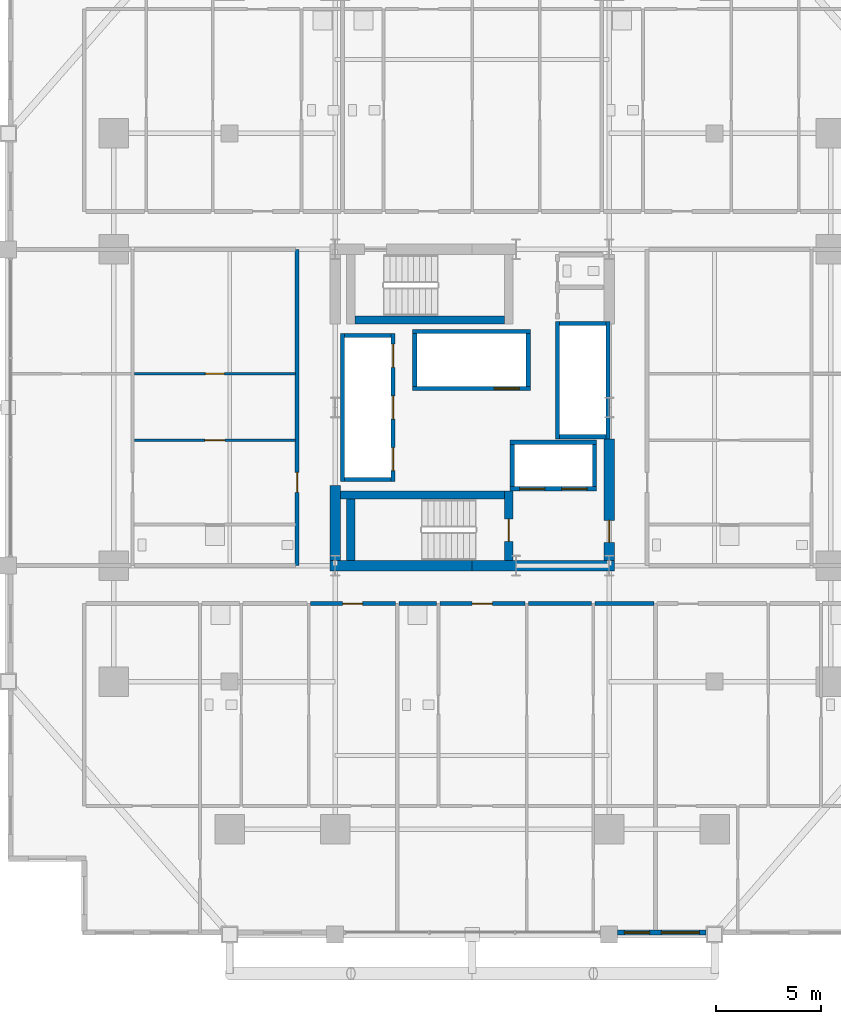
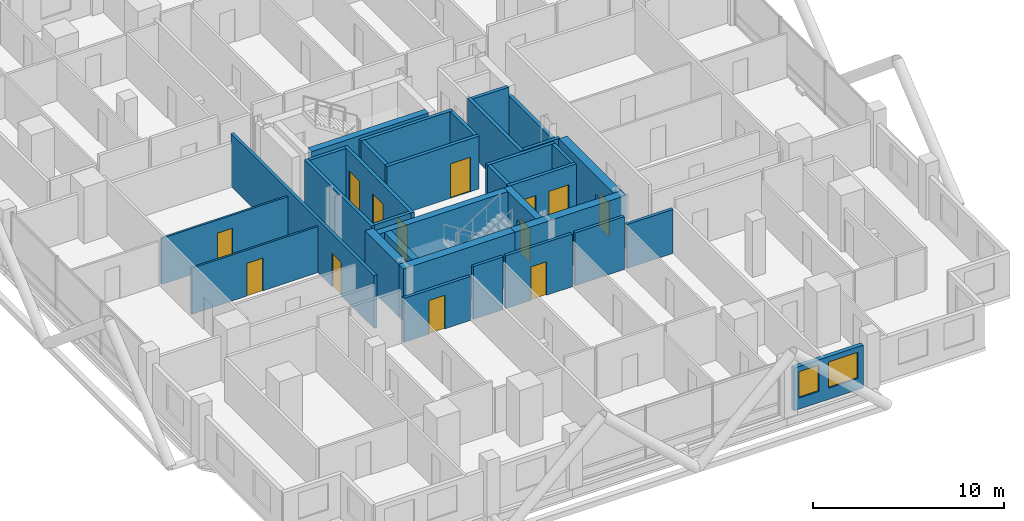
# One storey, part 22 of 28: 33 walls, 13 doors, 2 windows, 15 openings.
"""IFC4 building model written with IfcOpenShell, lengths in metres."""

from ifc_helpers import new_model, si_unit, direction, frame, frame_2d, origin, place, context, subcontext, project, spatial, rectangle, extrude, material, layer, layer_set, type_object, element, fill, save


model = new_model("IFC4")

# Units and contexts
model_context = context("Model", 3, precision=1e-05, world=origin(), true_north=direction((0.0, 1.0)))
body_context = subcontext(model_context, "Body", "Model", "MODEL_VIEW")
ifc_project = project(units=[si_unit("LENGTHUNIT", "METRE"), si_unit("AREAUNIT", "SQUARE_METRE"), si_unit("VOLUMEUNIT", "CUBIC_METRE"), si_unit("PLANEANGLEUNIT", "RADIAN"), si_unit("MASSUNIT", "GRAM", prefix="KILO")], contexts=[model_context])

# Site, building, storey
site_placement = place(None, origin())
site = spatial("IfcSite", under=ifc_project, at=site_placement, CompositionType="ELEMENT")
building_placement = place(site_placement, origin())
building = spatial("IfcBuilding", under=site, at=building_placement, Name="Barlavira Tower and Art Museum", CompositionType="ELEMENT")
storey_placement = place(building_placement, frame((0.0, 0.0, 39.60009765625)))
storey = spatial("IfcBuildingStorey", under=building, at=storey_placement, Name="L08", CompositionType="ELEMENT", Elevation=39.60009765625)

# Wall, opening, door
ifc_material_1 = material(Name="Gypsum acoustic stud partition", Category="gypsum")
ifc_layer_1 = layer(ifc_material_1, 0.1201171875, Name="Gypsum acoustic stud partition")
ifc_layer_set_1 = layer_set([ifc_layer_1], Name="Gypsum acoustic stud partition")
wall_type_1 = type_object("IfcWallType", Name="Apartment Internal Acoustic Partition 120", PredefinedType="PARTITIONING", material=ifc_layer_set_1)
wall_1_placement = place(storey_placement, frame((-16.02001953125, -1.550048828125, 0.0), z_axis=(0.0, 0.0, 1.0), x_axis=(1.0, 0.0, 0.0)))
wall_1 = element("IfcWall", 1, at=wall_1_placement, inside=storey, type_object=wall_type_1, Name="L08 Partition Wall 61", PredefinedType="PARTITIONING", context=body_context, shape_type="SweptSolid", body=[
    extrude(rectangle(XDim=7.64013671875, YDim=0.1201171875, at=frame_2d((3.820068359375, 0.0))), origin(), (0.0, 0.0, 1.0), 2.947998046875),
])
opening_1_placement = place(wall_1_placement, frame((3.344970703125, 0.0, 0.0)))
opening_1 = element("IfcOpeningElement", 2, at=opening_1_placement, cuts=wall_1, Name="Opening D-02", PredefinedType="OPENING", context=body_context, shape_type="SweptSolid", body=[
    extrude(rectangle(XDim=0.949951171875, YDim=2.10009765625, at=frame_2d((0.47509765625, 1.050048828125))), frame((0.0, 0.070068359375, 0.0), z_axis=(0.0, -1.0, 0.0), x_axis=(1.0, 0.0, 0.0)), (0.0, 0.0, 1.0), 0.14013671875),
])
ifc_material_2 = material(Name="Engineered coastal hardwood", Category="wood")
door_type_1 = type_object("IfcDoorType", Name="Living and Salon Glazed-Leaf Door 950x2100", OperationType="NOTDEFINED", PredefinedType="DOOR", material=ifc_material_2)
door_1_placement = place(opening_1_placement, origin())
door_1 = element("IfcDoor", 3, at=door_1_placement, inside=storey, type_object=door_type_1, Name="Apartment W1 Kitchen Door", OperationType="SINGLE_SWING_LEFT", OverallHeight=2.10009765625, OverallWidth=0.949951171875, PredefinedType="DOOR", context=body_context, shape_type="SweptSolid", body=[
    extrude(rectangle(XDim=0.949951171875, YDim=2.10009765625, at=frame_2d((0.47509765625, 1.050048828125))), frame((0.0, 0.02490234375, 0.0), z_axis=(0.0, -1.0, 0.0), x_axis=(1.0, 0.0, 0.0)), (0.0, 0.0, 1.0), 0.050048828125),
])
fill(opening_1, door_1)

wall_2_placement = place(storey_placement, frame((-16.02001953125, 1.60009765625, 0.0), z_axis=(0.0, 0.0, 1.0), x_axis=(1.0, 0.0, 0.0)))
wall_2 = element("IfcWall", 4, at=wall_2_placement, inside=storey, type_object=wall_type_1, Name="L08 Partition Wall 64", PredefinedType="PARTITIONING", context=body_context, shape_type="SweptSolid", body=[
    extrude(rectangle(XDim=7.64013671875, YDim=0.1201171875, at=frame_2d((3.820068359375, 0.0))), origin(), (0.0, 0.0, 1.0), 2.947998046875),
])
opening_2_placement = place(wall_2_placement, frame((3.3701171875, 0.0, 0.0)))
opening_2 = element("IfcOpeningElement", 5, at=opening_2_placement, cuts=wall_2, Name="Opening D-01", PredefinedType="OPENING", context=body_context, shape_type="SweptSolid", body=[
    extrude(rectangle(XDim=0.89990234375, YDim=2.10009765625, at=frame_2d((0.449951171875, 1.050048828125))), frame((0.0, 0.070068359375, 0.0), z_axis=(0.0, -1.0, 0.0), x_axis=(1.0, 0.0, 0.0)), (0.0, 0.0, 1.0), 0.14013671875),
])
door_type_2 = type_object("IfcDoorType", Name="Internal Bedroom Timber Flush Door 900x2100", OperationType="NOTDEFINED", PredefinedType="DOOR", material=ifc_material_2)
door_2_placement = place(opening_2_placement, origin())
door_2 = element("IfcDoor", 6, at=door_2_placement, inside=storey, type_object=door_type_2, Name="Apartment W1 Walk-In Dressing Room Door", OperationType="SINGLE_SWING_RIGHT", OverallHeight=2.10009765625, OverallWidth=0.89990234375, PredefinedType="DOOR", context=body_context, shape_type="SweptSolid", body=[
    extrude(rectangle(XDim=0.89990234375, YDim=2.10009765625, at=frame_2d((0.449951171875, 1.050048828125))), frame((0.0, 0.02490234375, 0.0), z_axis=(0.0, -1.0, 0.0), x_axis=(1.0, 0.0, 0.0)), (0.0, 0.0, 1.0), 0.050048828125),
])
fill(opening_2, door_2)

# Walls
ifc_material_3 = material(Name="Concrete C60", Category="concrete")
ifc_layer_2 = layer(ifc_material_3, 0.5, Name="Concrete C60")
ifc_layer_set_2 = layer_set([ifc_layer_2], Name="Concrete C60")
wall_type_2 = type_object("IfcWallType", Name="Core Structural Shear Wall 500 Concrete C60", PredefinedType="SHEAR", material=ifc_layer_set_2)
for number, where, z_axis, x_axis, name in (
    (7, (-6.75, -7.5, 0.0), (0.0, 0.0, 1.0), (1.0, 0.0, 0.0), "L08 Core Shear Wall CS-SW"),
    (8, (0.0, -7.5, 0.0), (0.0, 0.0, 1.0), (1.0, 0.0, 0.0), "L08 Core Shear Wall CS-SE"),
):
    element("IfcWall", number, at=place(storey_placement, frame(where, z_axis=z_axis, x_axis=x_axis)), inside=storey, type_object=wall_type_2, Name=name, PredefinedType="SHEAR", context=body_context, shape_type="SweptSolid", body=[
        extrude(rectangle(XDim=6.75, YDim=0.5, at=frame_2d((3.375, 0.0))), origin(), (0.0, 0.0, 1.0), 3.3798828125),
    ])
wall_3_placement = place(storey_placement, frame((-6.5, -7.25, 0.0), z_axis=(0.0, 0.0, 1.0), x_axis=(0.0, 1.0, 0.0)))
element("IfcWall", 9, at=wall_3_placement, inside=storey, type_object=wall_type_2, Name="L08 Core Shear Wall CS-W1", PredefinedType="SHEAR", context=body_context, shape_type="SweptSolid", body=[
    extrude(rectangle(XDim=3.550048828125, YDim=0.5, at=frame_2d((1.77490234375, 0.0))), origin(), (0.0, 0.0, 1.0), 3.3798828125),
])

# Wall, opening, door
wall_4_placement = place(storey_placement, frame((6.5, -7.25, 0.0), z_axis=(0.0, 0.0, 1.0), x_axis=(0.0, 1.0, 0.0)))
wall_4 = element("IfcWall", 10, at=wall_4_placement, inside=storey, type_object=wall_type_2, Name="L08 Core Shear Wall CS-E1", PredefinedType="SHEAR", context=body_context, shape_type="SweptSolid", body=[
    extrude(rectangle(XDim=5.75, YDim=0.5, at=frame_2d((2.875, 0.0))), origin(), (0.0, 0.0, 1.0), 3.3798828125),
])
opening_3_placement = place(wall_4_placement, frame((0.85009765625, 0.0, 0.0)))
opening_3 = element("IfcOpeningElement", 11, at=opening_3_placement, cuts=wall_4, Name="Opening FD-90", PredefinedType="OPENING", context=body_context, shape_type="SweptSolid", body=[
    extrude(rectangle(XDim=1.050048828125, YDim=2.14990234375, at=frame_2d((0.52490234375, 1.074951171875))), frame((0.0, 0.260009765625, 0.0), z_axis=(0.0, -1.0, 0.0), x_axis=(1.0, 0.0, 0.0)), (0.0, 0.0, 1.0), 0.52001953125),
])
ifc_material_4 = material(Name="Brushed stainless steel", Category="steel")
door_type_3 = type_object("IfcDoorType", Name="Stair and Refuge Fire Door 1050x2150 FD90S", OperationType="NOTDEFINED", PredefinedType="DOOR", material=ifc_material_4)
door_3_placement = place(opening_3_placement, origin())
door_3 = element("IfcDoor", 12, at=door_3_placement, inside=storey, type_object=door_type_3, Name="L08 Firefighting Lobby Entry Fire Door", OperationType="SINGLE_SWING_LEFT", OverallHeight=2.14990234375, OverallWidth=1.050048828125, PredefinedType="DOOR", context=body_context, shape_type="SweptSolid", body=[
    extrude(rectangle(XDim=1.050048828125, YDim=2.14990234375, at=frame_2d((0.52490234375, 1.074951171875))), frame((0.0, 0.02490234375, 0.0), z_axis=(0.0, -1.0, 0.0), x_axis=(1.0, 0.0, 0.0)), (0.0, 0.0, 1.0), 0.050048828125),
])
fill(opening_3, door_3)

# Wall, openings, doors
ifc_material_5 = material(Name="Autoclaved aerated concrete masonry", Category="masonry")
ifc_layer_3 = layer(ifc_material_5, 0.199951171875, Name="Autoclaved aerated concrete masonry")
ifc_layer_set_3 = layer_set([ifc_layer_3], Name="Autoclaved aerated concrete masonry")
wall_type_3 = type_object("IfcWallType", Name="Fire Compartment and Shaft Wall 200", PredefinedType="SOLIDWALL", material=ifc_layer_set_3)
wall_5_placement = place(storey_placement, frame((-3.75, -3.510009765625, 0.0), z_axis=(0.0, 0.0, 1.0), x_axis=(0.0, 1.0, 0.0)))
wall_5 = element("IfcWall", 13, at=wall_5_placement, inside=storey, type_object=wall_type_3, Name="L08 Low-Rise Lift Front Shaft Wall", PredefinedType="SOLIDWALL", context=body_context, shape_type="SweptSolid", body=[
    extrude(rectangle(XDim=7.02001953125, YDim=0.199951171875, at=frame_2d((3.510009765625, 0.0))), origin(), (0.0, 0.0, 1.0), 3.3798828125),
])
opening_4_placement = place(wall_5_placement, frame((0.510009765625, 0.0, 0.0)))
opening_4 = element("IfcOpeningElement", 14, at=opening_4_placement, cuts=wall_5, Name="Opening LD-P", PredefinedType="OPENING", context=body_context, shape_type="SweptSolid", body=[
    extrude(rectangle(XDim=1.10009765625, YDim=2.14990234375, at=frame_2d((0.550048828125, 1.074951171875))), frame((0.0, 0.10986328125, 0.0), z_axis=(0.0, -1.0, 0.0), x_axis=(1.0, 0.0, 0.0)), (0.0, 0.0, 1.0), 0.219970703125),
])
opening_5_placement = place(wall_5_placement, frame((2.9599609375, 0.0, 0.0)))
opening_5 = element("IfcOpeningElement", 15, at=opening_5_placement, cuts=wall_5, Name="Opening LD-P", PredefinedType="OPENING", context=body_context, shape_type="SweptSolid", body=[
    extrude(rectangle(XDim=1.10009765625, YDim=2.14990234375, at=frame_2d((0.550048828125, 1.074951171875))), frame((0.0, 0.10986328125, 0.0), z_axis=(0.0, -1.0, 0.0), x_axis=(1.0, 0.0, 0.0)), (0.0, 0.0, 1.0), 0.219970703125),
])
opening_6_placement = place(wall_5_placement, frame((5.409912109375, 0.0, 0.0)))
opening_6 = element("IfcOpeningElement", 16, at=opening_6_placement, cuts=wall_5, Name="Opening LD-P", PredefinedType="OPENING", context=body_context, shape_type="SweptSolid", body=[
    extrude(rectangle(XDim=1.10009765625, YDim=2.14990234375, at=frame_2d((0.550048828125, 1.074951171875))), frame((0.0, 0.10986328125, 0.0), z_axis=(0.0, -1.0, 0.0), x_axis=(1.0, 0.0, 0.0)), (0.0, 0.0, 1.0), 0.219970703125),
])
door_type_4 = type_object("IfcDoorType", Name="Passenger Lift Sliding Landing Door 1100x2150 FD60", OperationType="NOTDEFINED", PredefinedType="DOOR", material=ifc_material_4)
door_4_placement = place(opening_4_placement, origin())
door_4 = element("IfcDoor", 17, at=door_4_placement, inside=storey, type_object=door_type_4, Name="L08 Lift PL1 Sliding Landing Door", OperationType="DOUBLE_DOOR_SLIDING", OverallHeight=2.14990234375, OverallWidth=1.10009765625, PredefinedType="DOOR", context=body_context, shape_type="SweptSolid", body=[
    extrude(rectangle(XDim=1.10009765625, YDim=2.14990234375, at=frame_2d((0.550048828125, 1.074951171875))), frame((0.0, 0.02490234375, 0.0), z_axis=(0.0, -1.0, 0.0), x_axis=(1.0, 0.0, 0.0)), (0.0, 0.0, 1.0), 0.050048828125),
])
fill(opening_4, door_4)
door_5_placement = place(opening_5_placement, origin())
door_5 = element("IfcDoor", 18, at=door_5_placement, inside=storey, type_object=door_type_4, Name="L08 Lift PL2 Sliding Landing Door", OperationType="DOUBLE_DOOR_SLIDING", OverallHeight=2.14990234375, OverallWidth=1.10009765625, PredefinedType="DOOR", context=body_context, shape_type="SweptSolid", body=[
    extrude(rectangle(XDim=1.10009765625, YDim=2.14990234375, at=frame_2d((0.550048828125, 1.074951171875))), frame((0.0, 0.02490234375, 0.0), z_axis=(0.0, -1.0, 0.0), x_axis=(1.0, 0.0, 0.0)), (0.0, 0.0, 1.0), 0.050048828125),
])
fill(opening_5, door_5)
door_6_placement = place(opening_6_placement, origin())
door_6 = element("IfcDoor", 19, at=door_6_placement, inside=storey, type_object=door_type_4, Name="L08 Lift PL3 Sliding Landing Door", OperationType="DOUBLE_DOOR_SLIDING", OverallHeight=2.14990234375, OverallWidth=1.10009765625, PredefinedType="DOOR", context=body_context, shape_type="SweptSolid", body=[
    extrude(rectangle(XDim=1.10009765625, YDim=2.14990234375, at=frame_2d((0.550048828125, 1.074951171875))), frame((0.0, 0.02490234375, 0.0), z_axis=(0.0, -1.0, 0.0), x_axis=(1.0, 0.0, 0.0)), (0.0, 0.0, 1.0), 0.050048828125),
])
fill(opening_6, door_6)

# Walls
wall_6_placement = place(storey_placement, frame((-6.14990234375, -3.510009765625, 0.0), z_axis=(0.0, 0.0, 1.0), x_axis=(0.0, 1.0, 0.0)))
element("IfcWall", 20, at=wall_6_placement, inside=storey, type_object=wall_type_3, Name="L08 Low-Rise Lift Back Shaft Wall", PredefinedType="SOLIDWALL", context=body_context, shape_type="SweptSolid", body=[
    extrude(rectangle(XDim=7.02001953125, YDim=0.199951171875, at=frame_2d((3.510009765625, 0.0))), origin(), (0.0, 0.0, 1.0), 3.3798828125),
])
for number, where, z_axis, x_axis, name in (
    (21, (-6.050048828125, -3.409912109375, 0.0), (0.0, 0.0, 1.0), (1.0, 0.0, 0.0), "L08 Low-Rise Lift South Shaft Wall"),
    (22, (-6.050048828125, 3.409912109375, 0.0), (0.0, 0.0, 1.0), (1.0, 0.0, 0.0), "L08 Low-Rise Lift North Shaft Wall"),
):
    element("IfcWall", number, at=place(storey_placement, frame(where, z_axis=z_axis, x_axis=x_axis)), inside=storey, type_object=wall_type_3, Name=name, PredefinedType="SOLIDWALL", context=body_context, shape_type="SweptSolid", body=[
        extrude(rectangle(XDim=2.199951171875, YDim=0.199951171875, at=frame_2d((1.10009765625, 0.0))), origin(), (0.0, 0.0, 1.0), 3.3798828125),
    ])
wall_7_placement = place(storey_placement, frame((4.050048828125, -1.489990234375, 0.0), z_axis=(0.0, 0.0, 1.0), x_axis=(0.0, 1.0, 0.0)))
element("IfcWall", 23, at=wall_7_placement, inside=storey, type_object=wall_type_3, Name="L08 Mid-Rise Lift Front Shaft Wall", PredefinedType="SOLIDWALL", context=body_context, shape_type="SweptSolid", body=[
    extrude(rectangle(XDim=5.580078125, YDim=0.199951171875, at=frame_2d((2.7900390625, 0.0))), origin(), (0.0, 0.0, 1.0), 3.3798828125),
])
wall_8_placement = place(storey_placement, frame((6.449951171875, -1.489990234375, 0.0), z_axis=(0.0, 0.0, 1.0), x_axis=(0.0, 1.0, 0.0)))
element("IfcWall", 24, at=wall_8_placement, inside=storey, type_object=wall_type_3, Name="L08 Mid-Rise Lift Back Shaft Wall", PredefinedType="SOLIDWALL", context=body_context, shape_type="SweptSolid", body=[
    extrude(rectangle(XDim=5.580078125, YDim=0.199951171875, at=frame_2d((2.7900390625, 0.0))), origin(), (0.0, 0.0, 1.0), 2.81591796875),
])
for number, where, z_axis, x_axis, name in (
    (25, (4.14990234375, -1.389892578125, 0.0), (0.0, 0.0, 1.0), (1.0, 0.0, 0.0), "L08 Mid-Rise Lift South Shaft Wall"),
    (26, (4.14990234375, 3.989990234375, 0.0), (0.0, 0.0, 1.0), (1.0, 0.0, 0.0), "L08 Mid-Rise Lift North Shaft Wall"),
):
    element("IfcWall", number, at=place(storey_placement, frame(where, z_axis=z_axis, x_axis=x_axis)), inside=storey, type_object=wall_type_3, Name=name, PredefinedType="SOLIDWALL", context=body_context, shape_type="SweptSolid", body=[
        extrude(rectangle(XDim=2.2001953125, YDim=0.199951171875, at=frame_2d((1.10009765625, 0.0))), origin(), (0.0, 0.0, 1.0), 3.3798828125),
    ])

# Wall, opening, door
wall_9_placement = place(storey_placement, frame((-2.820068359375, 0.89990234375, 0.0), z_axis=(0.0, 0.0, 1.0), x_axis=(1.0, 0.0, 0.0)))
wall_9 = element("IfcWall", 27, at=wall_9_placement, inside=storey, type_object=wall_type_3, Name="L08 High-Rise & Service Lift Front Wall", PredefinedType="SOLIDWALL", context=body_context, shape_type="SweptSolid", body=[
    extrude(rectangle(XDim=5.580078125, YDim=0.199951171875, at=frame_2d((2.7900390625, 0.0))), origin(), (0.0, 0.0, 1.0), 3.3798828125),
])
opening_7_placement = place(wall_9_placement, frame((3.860107421875, 0.0, 0.0)))
opening_7 = element("IfcOpeningElement", 28, at=opening_7_placement, cuts=wall_9, Name="Opening LD-F", PredefinedType="OPENING", context=body_context, shape_type="SweptSolid", body=[
    extrude(rectangle(XDim=1.199951171875, YDim=2.199951171875, at=frame_2d((0.60009765625, 1.10009765625))), frame((0.0, 0.10986328125, 0.0), z_axis=(0.0, -1.0, 0.0), x_axis=(1.0, 0.0, 0.0)), (0.0, 0.0, 1.0), 0.219970703125),
])
door_type_5 = type_object("IfcDoorType", Name="Firefighting and Service Lift Sliding Door 1200x2200 FD120", OperationType="NOTDEFINED", PredefinedType="DOOR", material=ifc_material_4)
door_7_placement = place(opening_7_placement, origin())
door_7 = element("IfcDoor", 29, at=door_7_placement, inside=storey, type_object=door_type_5, Name="L08 Stretcher Service Lift SL1 Sliding Door", OperationType="DOUBLE_DOOR_SLIDING", OverallHeight=2.199951171875, OverallWidth=1.199951171875, PredefinedType="DOOR", context=body_context, shape_type="SweptSolid", body=[
    extrude(rectangle(XDim=1.199951171875, YDim=2.199951171875, at=frame_2d((0.60009765625, 1.10009765625))), frame((0.0, 0.02490234375, 0.0), z_axis=(0.0, -1.0, 0.0), x_axis=(1.0, 0.0, 0.0)), (0.0, 0.0, 1.0), 0.050048828125),
])
fill(opening_7, door_7)

# Walls
wall_10_placement = place(storey_placement, frame((-2.820068359375, 3.60009765625, 0.0), z_axis=(0.0, 0.0, 1.0), x_axis=(1.0, 0.0, 0.0)))
element("IfcWall", 30, at=wall_10_placement, inside=storey, type_object=wall_type_3, Name="L08 High-Rise & Service Lift Back Wall", PredefinedType="SOLIDWALL", context=body_context, shape_type="SweptSolid", body=[
    extrude(rectangle(XDim=5.580078125, YDim=0.199951171875, at=frame_2d((2.7900390625, 0.0))), origin(), (0.0, 0.0, 1.0), 3.3798828125),
])
for number, where, z_axis, x_axis, name in (
    (31, (-2.719970703125, 1.0, 0.0), (0.0, 0.0, 1.0), (0.0, 1.0, 0.0), "L08 High-Rise & Service Lift West Wall"),
    (32, (2.659912109375, 1.0, 0.0), (0.0, 0.0, 1.0), (0.0, 1.0, 0.0), "L08 High-Rise & Service Lift East Wall"),
):
    element("IfcWall", number, at=place(storey_placement, frame(where, z_axis=z_axis, x_axis=x_axis)), inside=storey, type_object=wall_type_3, Name=name, PredefinedType="SOLIDWALL", context=body_context, shape_type="SweptSolid", body=[
        extrude(rectangle(XDim=2.5, YDim=0.199951171875, at=frame_2d((1.25, 0.0))), origin(), (0.0, 0.0, 1.0), 3.3798828125),
    ])

# Wall, openings, doors
wall_11_placement = place(storey_placement, frame((1.800048828125, -3.85009765625, 0.0), z_axis=(0.0, 0.0, 1.0), x_axis=(1.0, 0.0, 0.0)))
wall_11 = element("IfcWall", 33, at=wall_11_placement, inside=storey, type_object=wall_type_3, Name="L08 Firefighting Lift Front Shaft Wall", PredefinedType="SOLIDWALL", context=body_context, shape_type="SweptSolid", body=[
    extrude(rectangle(XDim=4.099853515625, YDim=0.199951171875, at=frame_2d((2.0498046875, 0.0))), origin(), (0.0, 0.0, 1.0), 3.3798828125),
])
opening_8_placement = place(wall_11_placement, frame((0.449951171875, 0.0, 0.0)))
opening_8 = element("IfcOpeningElement", 34, at=opening_8_placement, cuts=wall_11, Name="Opening LD-F", PredefinedType="OPENING", context=body_context, shape_type="SweptSolid", body=[
    extrude(rectangle(XDim=1.199951171875, YDim=2.199951171875, at=frame_2d((0.60009765625, 1.10009765625))), frame((0.0, 0.10986328125, 0.0), z_axis=(0.0, -1.0, 0.0), x_axis=(1.0, 0.0, 0.0)), (0.0, 0.0, 1.0), 0.219970703125),
])
opening_9_placement = place(wall_11_placement, frame((2.449951171875, 0.0, 0.0)))
opening_9 = element("IfcOpeningElement", 35, at=opening_9_placement, cuts=wall_11, Name="Opening LD-F", PredefinedType="OPENING", context=body_context, shape_type="SweptSolid", body=[
    extrude(rectangle(XDim=1.199951171875, YDim=2.199951171875, at=frame_2d((0.60009765625, 1.10009765625))), frame((0.0, 0.10986328125, 0.0), z_axis=(0.0, -1.0, 0.0), x_axis=(1.0, 0.0, 0.0)), (0.0, 0.0, 1.0), 0.219970703125),
])
door_8_placement = place(opening_8_placement, origin())
door_8 = element("IfcDoor", 36, at=door_8_placement, inside=storey, type_object=door_type_5, Name="L08 Firefighting Lift FF1 Sliding Door", OperationType="DOUBLE_DOOR_SLIDING", OverallHeight=2.199951171875, OverallWidth=1.199951171875, PredefinedType="DOOR", context=body_context, shape_type="SweptSolid", body=[
    extrude(rectangle(XDim=1.199951171875, YDim=2.199951171875, at=frame_2d((0.60009765625, 1.10009765625))), frame((0.0, 0.02490234375, 0.0), z_axis=(0.0, -1.0, 0.0), x_axis=(1.0, 0.0, 0.0)), (0.0, 0.0, 1.0), 0.050048828125),
])
fill(opening_8, door_8)
door_9_placement = place(opening_9_placement, origin())
door_9 = element("IfcDoor", 37, at=door_9_placement, inside=storey, type_object=door_type_5, Name="L08 Firefighting Lift FF2 Sliding Door", OperationType="DOUBLE_DOOR_SLIDING", OverallHeight=2.199951171875, OverallWidth=1.199951171875, PredefinedType="DOOR", context=body_context, shape_type="SweptSolid", body=[
    extrude(rectangle(XDim=1.199951171875, YDim=2.199951171875, at=frame_2d((0.60009765625, 1.10009765625))), frame((0.0, 0.02490234375, 0.0), z_axis=(0.0, -1.0, 0.0), x_axis=(1.0, 0.0, 0.0)), (0.0, 0.0, 1.0), 0.050048828125),
])
fill(opening_9, door_9)

# Walls
wall_12_placement = place(storey_placement, frame((1.800048828125, -1.64990234375, 0.0), z_axis=(0.0, 0.0, 1.0), x_axis=(1.0, 0.0, 0.0)))
element("IfcWall", 38, at=wall_12_placement, inside=storey, type_object=wall_type_3, Name="L08 Firefighting Lift Back Shaft Wall", PredefinedType="SOLIDWALL", context=body_context, shape_type="SweptSolid", body=[
    extrude(rectangle(XDim=4.099853515625, YDim=0.199951171875, at=frame_2d((2.0498046875, 0.0))), origin(), (0.0, 0.0, 1.0), 3.3798828125),
])
for number, where, z_axis, x_axis, name in (
    (39, (1.89990234375, -3.75, 0.0), (0.0, 0.0, 1.0), (0.0, 1.0, 0.0), "L08 Firefighting Lift West Shaft Wall"),
    (40, (5.800048828125, -3.75, 0.0), (0.0, 0.0, 1.0), (0.0, 1.0, 0.0), "L08 Firefighting Lift East Shaft Wall"),
):
    element("IfcWall", number, at=place(storey_placement, frame(where, z_axis=z_axis, x_axis=x_axis)), inside=storey, type_object=wall_type_3, Name=name, PredefinedType="SOLIDWALL", context=body_context, shape_type="SweptSolid", body=[
        extrude(rectangle(XDim=2.0, YDim=0.199951171875, at=frame_2d((1.0, 0.0))), origin(), (0.0, 0.0, 1.0), 3.3798828125),
    ])

# Wall, opening, door
ifc_layer_4 = layer(ifc_material_1, 0.179931640625, Name="Gypsum acoustic stud partition")
ifc_layer_set_4 = layer_set([ifc_layer_4], Name="Gypsum acoustic stud partition")
wall_type_4 = type_object("IfcWallType", Name="Inter-Tenancy Party Partition Wall 180", PredefinedType="PARTITIONING", material=ifc_layer_set_4)
wall_13_placement = place(storey_placement, frame((-8.300048828125, -7.5, 0.0), z_axis=(0.0, 0.0, 1.0), x_axis=(0.0, 1.0, 0.0)))
wall_13 = element("IfcWall", 41, at=wall_13_placement, inside=storey, type_object=wall_type_4, Name="L08 Partition Wall 8", PredefinedType="PARTITIONING", context=body_context, shape_type="SweptSolid", body=[
    extrude(rectangle(XDim=15.0, YDim=0.179931640625, at=frame_2d((7.5, 0.0))), origin(), (0.0, 0.0, 1.0), 3.3798828125),
])
opening_10_placement = place(wall_13_placement, frame((3.47509765625, 0.0, 0.0)))
opening_10 = element("IfcOpeningElement", 42, at=opening_10_placement, cuts=wall_13, Name="Opening FD-60", PredefinedType="OPENING", context=body_context, shape_type="SweptSolid", body=[
    extrude(rectangle(XDim=0.949951171875, YDim=2.14990234375, at=frame_2d((0.47509765625, 1.074951171875))), frame((0.0, 0.10009765625, 0.0), z_axis=(0.0, -1.0, 0.0), x_axis=(1.0, 0.0, 0.0)), (0.0, 0.0, 1.0), 0.199951171875),
])
door_type_6 = type_object("IfcDoorType", Name="Apartment Entrance and Riser Fire Door 950x2150 FD60S", OperationType="NOTDEFINED", PredefinedType="DOOR", material=ifc_material_4)
door_10_placement = place(opening_10_placement, origin())
door_10 = element("IfcDoor", 43, at=door_10_placement, inside=storey, type_object=door_type_6, Name="Apartment Entrance Hall W1 Door", OperationType="SINGLE_SWING_RIGHT", OverallHeight=2.14990234375, OverallWidth=0.949951171875, PredefinedType="DOOR", context=body_context, shape_type="SweptSolid", body=[
    extrude(rectangle(XDim=0.949951171875, YDim=2.14990234375, at=frame_2d((0.47509765625, 1.074951171875))), frame((0.0, 0.02490234375, 0.0), z_axis=(0.0, -1.0, 0.0), x_axis=(1.0, 0.0, 0.0)), (0.0, 0.0, 1.0), 0.050048828125),
])
fill(opening_10, door_10)

wall_14_placement = place(storey_placement, frame((-7.669921875, -9.300048828125, 0.0), z_axis=(0.0, 0.0, 1.0), x_axis=(1.0, 0.0, 0.0)))
wall_14 = element("IfcWall", 44, at=wall_14_placement, inside=storey, type_object=wall_type_4, Name="L08 Partition Wall 47", PredefinedType="PARTITIONING", context=body_context, shape_type="SweptSolid", body=[
    extrude(rectangle(XDim=4.0400390625, YDim=0.179931640625, at=frame_2d((2.02001953125, 0.0))), origin(), (0.0, 0.0, 1.0), 2.81591796875),
])
opening_11_placement = place(wall_14_placement, frame((1.52490234375, 0.0, 0.0)))
opening_11 = element("IfcOpeningElement", 45, at=opening_11_placement, cuts=wall_14, Name="Opening FD-60", PredefinedType="OPENING", context=body_context, shape_type="SweptSolid", body=[
    extrude(rectangle(XDim=0.949951171875, YDim=2.14990234375, at=frame_2d((0.47509765625, 1.074951171875))), frame((0.0, 0.10009765625, 0.0), z_axis=(0.0, -1.0, 0.0), x_axis=(1.0, 0.0, 0.0)), (0.0, 0.0, 1.0), 0.199951171875),
])
door_11_placement = place(opening_11_placement, origin())
door_11 = element("IfcDoor", 46, at=door_11_placement, inside=storey, type_object=door_type_6, Name="Apartment Entrance Hall S1 Door", OperationType="SINGLE_SWING_RIGHT", OverallHeight=2.14990234375, OverallWidth=0.949951171875, PredefinedType="DOOR", context=body_context, shape_type="SweptSolid", body=[
    extrude(rectangle(XDim=0.949951171875, YDim=2.14990234375, at=frame_2d((0.47509765625, 1.074951171875))), frame((0.0, 0.02490234375, 0.0), z_axis=(0.0, -1.0, 0.0), x_axis=(1.0, 0.0, 0.0)), (0.0, 0.0, 1.0), 0.050048828125),
])
fill(opening_11, door_11)

# Wall
wall_15_placement = place(storey_placement, frame((-3.469970703125, -9.300048828125, 0.0), z_axis=(0.0, 0.0, 1.0), x_axis=(1.0, 0.0, 0.0)))
element("IfcWall", 47, at=wall_15_placement, inside=storey, type_object=wall_type_4, Name="L08 Partition Wall 48", PredefinedType="PARTITIONING", context=body_context, shape_type="SweptSolid", body=[
    extrude(rectangle(XDim=1.7900390625, YDim=0.179931640625, at=frame_2d((0.89501953125, 0.0))), origin(), (0.0, 0.0, 1.0), 3.3798828125),
])

# Wall, opening, door
wall_16_placement = place(storey_placement, frame((-1.52001953125, -9.300048828125, 0.0), z_axis=(0.0, 0.0, 1.0), x_axis=(1.0, 0.0, 0.0)))
wall_16 = element("IfcWall", 48, at=wall_16_placement, inside=storey, type_object=wall_type_4, Name="L08 Partition Wall 49", PredefinedType="PARTITIONING", context=body_context, shape_type="SweptSolid", body=[
    extrude(rectangle(XDim=4.0400390625, YDim=0.179931640625, at=frame_2d((2.02001953125, 0.0))), origin(), (0.0, 0.0, 1.0), 3.3798828125),
])
opening_12_placement = place(wall_16_placement, frame((1.52490234375, 0.0, 0.0)))
opening_12 = element("IfcOpeningElement", 49, at=opening_12_placement, cuts=wall_16, Name="Opening FD-60", PredefinedType="OPENING", context=body_context, shape_type="SweptSolid", body=[
    extrude(rectangle(XDim=0.949951171875, YDim=2.14990234375, at=frame_2d((0.47509765625, 1.074951171875))), frame((0.0, 0.10009765625, 0.0), z_axis=(0.0, -1.0, 0.0), x_axis=(1.0, 0.0, 0.0)), (0.0, 0.0, 1.0), 0.199951171875),
])
door_12_placement = place(opening_12_placement, origin())
door_12 = element("IfcDoor", 50, at=door_12_placement, inside=storey, type_object=door_type_6, Name="Apartment Entrance Hall S2 Door", OperationType="SINGLE_SWING_LEFT", OverallHeight=2.14990234375, OverallWidth=0.949951171875, PredefinedType="DOOR", context=body_context, shape_type="SweptSolid", body=[
    extrude(rectangle(XDim=0.949951171875, YDim=2.14990234375, at=frame_2d((0.47509765625, 1.074951171875))), frame((0.0, 0.02490234375, 0.0), z_axis=(0.0, -1.0, 0.0), x_axis=(1.0, 0.0, 0.0)), (0.0, 0.0, 1.0), 0.050048828125),
])
fill(opening_12, door_12)

# Walls
wall_17_placement = place(storey_placement, frame((2.679931640625, -9.300048828125, 0.0), z_axis=(0.0, 0.0, 1.0), x_axis=(1.0, 0.0, 0.0)))
element("IfcWall", 51, at=wall_17_placement, inside=storey, type_object=wall_type_4, Name="L08 Partition Wall 50", PredefinedType="PARTITIONING", context=body_context, shape_type="SweptSolid", body=[
    extrude(rectangle(XDim=2.989990234375, YDim=0.179931640625, at=frame_2d((1.4951171875, 0.0))), origin(), (0.0, 0.0, 1.0), 3.3798828125),
])
wall_18_placement = place(storey_placement, frame((5.830078125, -9.300048828125, 0.0), z_axis=(0.0, 0.0, 1.0), x_axis=(1.0, 0.0, 0.0)))
element("IfcWall", 52, at=wall_18_placement, inside=storey, type_object=wall_type_4, Name="L08 Partition Wall 51", PredefinedType="PARTITIONING", context=body_context, shape_type="SweptSolid", body=[
    extrude(rectangle(XDim=2.7900390625, YDim=0.179931640625, at=frame_2d((1.39501953125, 0.0))), origin(), (0.0, 0.0, 1.0), 2.81591796875),
])

# Wall, openings, windows
ifc_material_6 = material(Name="Precast concrete C40", Category="concrete")
ifc_layer_5 = layer(ifc_material_6, 0.25, Name="Precast concrete C40")
ifc_layer_set_5 = layer_set([ifc_layer_5], Name="Precast concrete C40")
wall_type_5 = type_object("IfcWallType", Name="Notched Corner Spandrel Wall 250 Precast Concrete C40", PredefinedType="SOLIDWALL", material=ifc_layer_set_5)
wall_19_placement = place(storey_placement, frame((6.89501953125, -24.89990234375, 0.0), z_axis=(0.0, 0.0, 1.0), x_axis=(1.0, 0.0, 0.0)))
wall_19 = element("IfcWall", 53, at=wall_19_placement, inside=storey, type_object=wall_type_5, Name="L08 Coastal Facade Pier Wall CW1-L08-S-4", PredefinedType="SOLIDWALL", context=body_context, shape_type="SweptSolid", body=[
    extrude(rectangle(XDim=4.2099609375, YDim=0.25, at=frame_2d((2.10498046875, 0.0))), origin(), (0.0, 0.0, 1.0), 2.73583984375),
])
opening_13_placement = place(wall_19_placement, frame((0.324951171875, 0.0, 0.719970703125)))
opening_13 = element("IfcOpeningElement", 54, at=opening_13_placement, cuts=wall_19, Name="Opening WN-05", PredefinedType="OPENING", context=body_context, shape_type="SweptSolid", body=[
    extrude(rectangle(XDim=1.199951171875, YDim=1.679931640625, at=frame_2d((0.60009765625, 0.83984375))), frame((0.0, 0.135009765625, 0.0), z_axis=(0.0, -1.0, 0.0), x_axis=(1.0, 0.0, 0.0)), (0.0, 0.0, 1.0), 0.27001953125),
])
opening_14_placement = place(wall_19_placement, frame((2.0849609375, 0.0, 0.719970703125)))
opening_14 = element("IfcOpeningElement", 55, at=opening_14_placement, cuts=wall_19, Name="Opening WN-01", PredefinedType="OPENING", context=body_context, shape_type="SweptSolid", body=[
    extrude(rectangle(XDim=1.800048828125, YDim=1.679931640625, at=frame_2d((0.89990234375, 0.83984375))), frame((0.0, 0.135009765625, 0.0), z_axis=(0.0, -1.0, 0.0), x_axis=(1.0, 0.0, 0.0)), (0.0, 0.0, 1.0), 0.27001953125),
])
ifc_material_7 = material(Name="Low-iron coastal laminated glass", Category="glass")
window_type_1 = type_object("IfcWindowType", Name="Recessed Flank Pier Punch Window 1200x1680", PartitioningType="SINGLE_PANEL", PredefinedType="WINDOW", material=ifc_material_7)
window_1_placement = place(opening_13_placement, origin())
window_1 = element("IfcWindow", 56, at=window_1_placement, inside=storey, type_object=window_type_1, Name="L08 Punched Facade Window EWP-CW1-L08-S-4-1", OverallHeight=1.679931640625, OverallWidth=1.199951171875, PartitioningType="SINGLE_PANEL", PredefinedType="WINDOW", context=body_context, shape_type="SweptSolid", body=[
    extrude(rectangle(XDim=1.199951171875, YDim=1.679931640625, at=frame_2d((0.60009765625, 0.83984375))), frame((0.0, 0.030029296875, 0.0), z_axis=(0.0, -1.0, 0.0), x_axis=(1.0, 0.0, 0.0)), (0.0, 0.0, 1.0), 0.06005859375),
])
fill(opening_13, window_1)
window_type_2 = type_object("IfcWindowType", Name="Recessed Notch Corner Punch Window 1800x1680", PartitioningType="SINGLE_PANEL", PredefinedType="WINDOW", material=ifc_material_7)
window_2_placement = place(opening_14_placement, origin())
window_2 = element("IfcWindow", 57, at=window_2_placement, inside=storey, type_object=window_type_2, Name="L08 Punched Facade Window EWP-CW1-L08-S-4-2", OverallHeight=1.679931640625, OverallWidth=1.800048828125, PartitioningType="SINGLE_PANEL", PredefinedType="WINDOW", context=body_context, shape_type="SweptSolid", body=[
    extrude(rectangle(XDim=1.800048828125, YDim=1.679931640625, at=frame_2d((0.89990234375, 0.83984375))), frame((0.0, 0.030029296875, 0.0), z_axis=(0.0, -1.0, 0.0), x_axis=(1.0, 0.0, 0.0)), (0.0, 0.0, 1.0), 0.06005859375),
])
fill(opening_14, window_2)

# Walls
ifc_material_8 = material(Name="Concrete C55", Category="concrete")
ifc_layer_6 = layer(ifc_material_8, 0.39990234375, Name="Concrete C55")
ifc_layer_set_6 = layer_set([ifc_layer_6], Name="Concrete C55")
wall_type_6 = type_object("IfcWallType", Name="Upper Core Shear Wall 400 Concrete C55", PredefinedType="SHEAR", material=ifc_layer_set_6)
wall_20_placement = place(storey_placement, frame((-5.75, -7.25, 0.0), z_axis=(0.0, 0.0, 1.0), x_axis=(0.0, 1.0, 0.0)))
element("IfcWall", 58, at=wall_20_placement, inside=storey, type_object=wall_type_6, Name="L08 ST-T1 West Half-Landing Wall", PredefinedType="SHEAR", context=body_context, shape_type="SweptSolid", body=[
    extrude(rectangle(XDim=2.89990234375, YDim=0.39990234375, at=frame_2d((1.449951171875, 0.0))), origin(), (0.0, 0.0, 1.0), 3.3798828125),
])
wall_21_placement = place(storey_placement, frame((-6.25, -4.14990234375, 0.0), z_axis=(0.0, 0.0, 1.0), x_axis=(1.0, 0.0, 0.0)))
element("IfcWall", 59, at=wall_21_placement, inside=storey, type_object=wall_type_6, Name="L08 ST-T1 North Shaft Wall", PredefinedType="SHEAR", context=body_context, shape_type="SweptSolid", body=[
    extrude(rectangle(XDim=7.780029296875, YDim=0.39990234375, at=frame_2d((3.89013671875, 0.0))), origin(), (0.0, 0.0, 1.0), 3.3798828125),
])

# Wall, opening, door
wall_22_placement = place(storey_placement, frame((1.72998046875, -7.25, 0.0), z_axis=(0.0, 0.0, 1.0), x_axis=(0.0, 1.0, 0.0)))
wall_22 = element("IfcWall", 60, at=wall_22_placement, inside=storey, type_object=wall_type_6, Name="L08 ST-T1 East Landing Wall", PredefinedType="SHEAR", context=body_context, shape_type="SweptSolid", body=[
    extrude(rectangle(XDim=3.300048828125, YDim=0.39990234375, at=frame_2d((1.64990234375, 0.0))), origin(), (0.0, 0.0, 1.0), 3.3798828125),
])
opening_15_placement = place(wall_22_placement, frame((0.89990234375, 0.0, 0.0)))
opening_15 = element("IfcOpeningElement", 61, at=opening_15_placement, cuts=wall_22, Name="Opening FD-90", PredefinedType="OPENING", context=body_context, shape_type="SweptSolid", body=[
    extrude(rectangle(XDim=1.050048828125, YDim=2.14990234375, at=frame_2d((0.52490234375, 1.074951171875))), frame((0.0, 0.2099609375, 0.0), z_axis=(0.0, -1.0, 0.0), x_axis=(1.0, 0.0, 0.0)), (0.0, 0.0, 1.0), 0.419921875),
])
door_13_placement = place(opening_15_placement, origin())
door_13 = element("IfcDoor", 62, at=door_13_placement, inside=storey, type_object=door_type_3, Name="L08 Stair ST-T1 Fire Door", OperationType="SINGLE_SWING_RIGHT", OverallHeight=2.14990234375, OverallWidth=1.050048828125, PredefinedType="DOOR", context=body_context, shape_type="SweptSolid", body=[
    extrude(rectangle(XDim=1.050048828125, YDim=2.14990234375, at=frame_2d((0.52490234375, 1.074951171875))), frame((0.0, 0.02490234375, 0.0), z_axis=(0.0, -1.0, 0.0), x_axis=(1.0, 0.0, 0.0)), (0.0, 0.0, 1.0), 0.050048828125),
])
fill(opening_15, door_13)

# Wall
wall_23_placement = place(storey_placement, frame((-5.550048828125, 4.14990234375, 0.0), z_axis=(0.0, 0.0, 1.0), x_axis=(1.0, 0.0, 0.0)))
element("IfcWall", 63, at=wall_23_placement, inside=storey, type_object=wall_type_6, Name="L08 ST-T2 South Shaft Wall", PredefinedType="SHEAR", context=body_context, shape_type="SweptSolid", body=[
    extrude(rectangle(XDim=7.080078125, YDim=0.39990234375, at=frame_2d((3.5400390625, 0.0))), origin(), (0.0, 0.0, 1.0), 3.3798828125),
])

save(model, "model.ifc")
